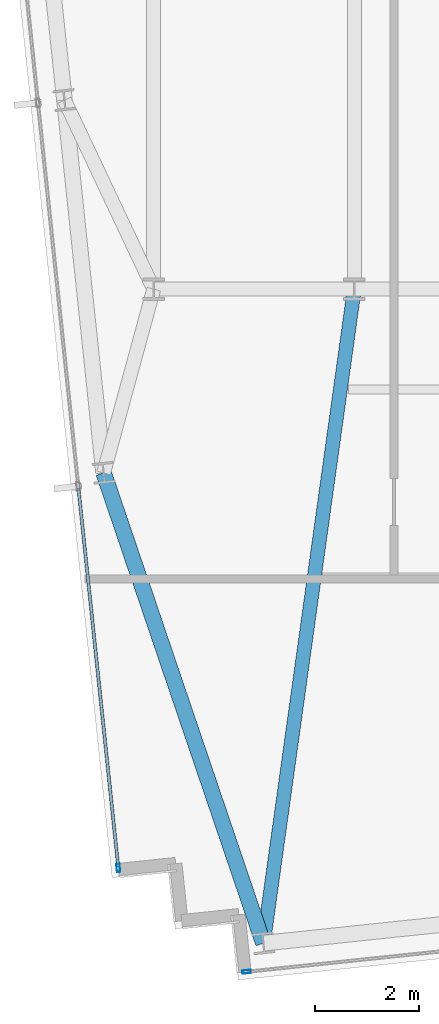
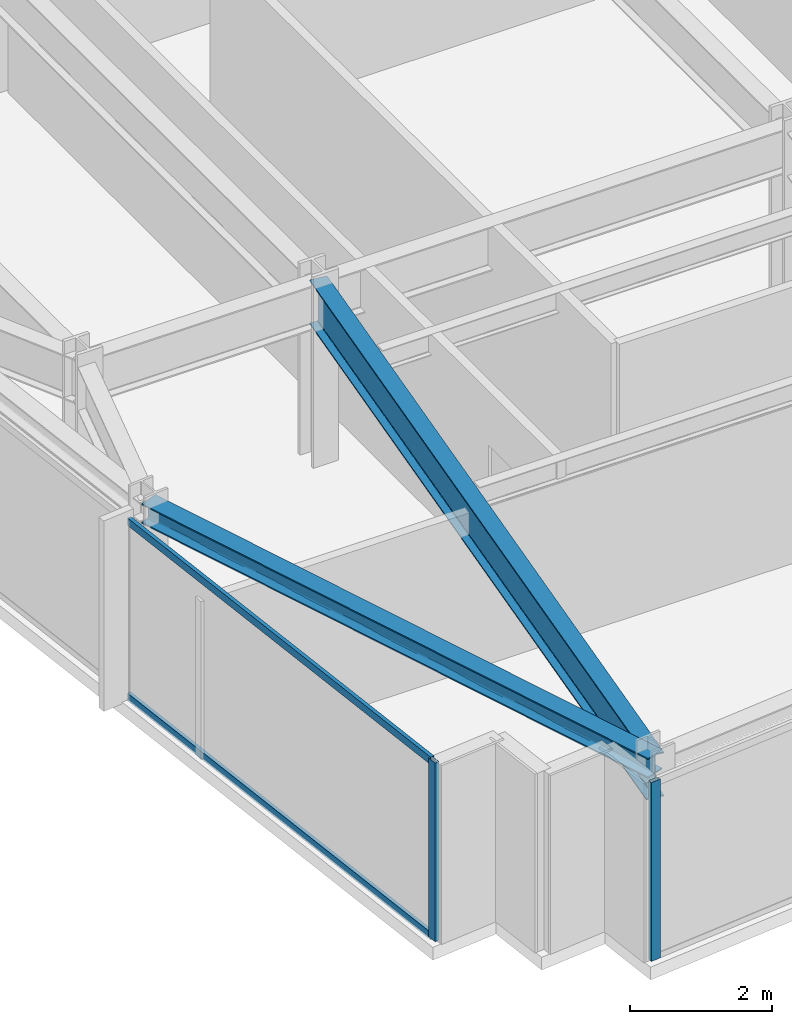
# One storey, part 2 of 32: 4 members, 2 beams, 2 elements without a shape of their own.
"""IFC4 building model written with IfcOpenShell, lengths in metres."""

import ifcopenshell
import ifcopenshell.guid

model = None  # the IFC model being written
_history = None  # IfcOwnerHistory: only IFC2X3 demands one
_inside = {}  # id of a spatial element -> (the spatial element, [elements in it])
_under = {}  # id of a project, library or spatial element -> (it, [spatial elements below it])
_declared = {}  # id of a project -> (the project, [libraries it declares])
_typed = {}  # id of a type object -> (the type object, [elements of that type])
_made_of = {}  # id of a material, layer set ... -> (it, [elements and type objects made of it])


def new_model(schema):
    """Start an empty IFC model of exactly this schema.

    Asked for "IFC4X3", IfcOpenShell would pick the latest addendum, in which some entities
    have other attributes; the version numbers below select the first issue.
    IFC2X3 requires an IfcOwnerHistory on every rooted entity: one is made here for all.
    """
    global model, _history
    if schema == "IFC4X3":
        model = ifcopenshell.file(schema_version=(4, 3, 0, 0))
    else:
        model = ifcopenshell.file(schema=schema)
    _inside.clear()
    _under.clear()
    _declared.clear()
    _typed.clear()
    _made_of.clear()
    _history = None
    if model.schema == "IFC2X3":
        org = make("IfcOrganization", Name="unknown")
        user = make(
            "IfcPersonAndOrganization",
            ThePerson=make("IfcPerson", FamilyName="unknown"),
            TheOrganization=org,
        )
        app = make(
            "IfcApplication",
            ApplicationDeveloper=org,
            Version="unknown",
            ApplicationFullName="unknown",
            ApplicationIdentifier="unknown",
        )
        _history = make(
            "IfcOwnerHistory",
            OwningUser=user,
            OwningApplication=app,
            ChangeAction="ADDED",
            CreationDate=0,
        )
    return model


def make(cls, **values):
    """One entity of the class cls with the attributes given. An attribute that is None is left unset."""
    return model.create_entity(
        cls, **{name: value for name, value in values.items() if value is not None}
    )


def rooted(cls, **values):
    """An entity with a GlobalId (a new one), such as an element, a storey or a relation."""
    return make(cls, GlobalId=ifcopenshell.guid.new(), OwnerHistory=_history, **values)


def si_unit(unit_type, name, prefix=None):
    """IfcSIUnit, for example si_unit("LENGTHUNIT", "METRE", prefix="MILLI")."""
    return make("IfcSIUnit", UnitType=unit_type, Prefix=prefix, Name=name)


def assignment(units):
    """IfcUnitAssignment: the units of a project."""
    return None if units is None else make("IfcUnitAssignment", Units=units)


def point(xyz):
    """IfcCartesianPoint."""
    return None if xyz is None else make("IfcCartesianPoint", Coordinates=xyz)


def direction(xyz):
    """IfcDirection."""
    return None if xyz is None else make("IfcDirection", DirectionRatios=xyz)


def frame(location, z_axis=None, x_axis=None):
    """IfcAxis2Placement3D, a coordinate frame: its origin and axes. An axis left out is left unset."""
    return make(
        "IfcAxis2Placement3D",
        Location=point(location),
        Axis=direction(z_axis),
        RefDirection=direction(x_axis),
    )


def frame_2d(location, x_axis=None):
    """IfcAxis2Placement2D, a coordinate frame in the plane: its origin and x axis."""
    return make(
        "IfcAxis2Placement2D", Location=point(location), RefDirection=direction(x_axis)
    )


def origin():
    """The frame at (0, 0, 0) with its axes left unset."""
    return frame((0.0, 0.0, 0.0))


def origin_2d():
    """The frame at (0, 0) in the plane with its x axis left unset."""
    return frame_2d((0.0, 0.0))


def place(relative_to, where):
    """IfcLocalPlacement: puts the frame where relative to a parent placement (None: the world)."""
    return make(
        "IfcLocalPlacement", PlacementRelTo=relative_to, RelativePlacement=where
    )


def context(
    kind, dimensions, precision=None, world=None, true_north=None, identifier=None
):
    """IfcGeometricRepresentationContext, for example the 3D "Model" context."""
    return make(
        "IfcGeometricRepresentationContext",
        ContextIdentifier=identifier,
        ContextType=kind,
        CoordinateSpaceDimension=dimensions,
        Precision=precision,
        WorldCoordinateSystem=world,
        TrueNorth=true_north,
    )


def subcontext(parent, identifier, kind, view, scale=None):
    """IfcGeometricRepresentationSubContext, for example "Body" below "Model"."""
    return make(
        "IfcGeometricRepresentationSubContext",
        ContextIdentifier=identifier,
        ContextType=kind,
        ParentContext=parent,
        TargetScale=scale,
        TargetView=view,
    )


def project(units=None, contexts=None):
    """IfcProject with its units and contexts."""
    return rooted(
        "IfcProject",
        Name="project",
        RepresentationContexts=contexts,
        UnitsInContext=assignment(units),
    )


def spatial(cls, under=None, at=None, **own):
    """A site, building, storey or space (cls), placed at a placement, below another one or the project."""
    s = rooted(cls, ObjectPlacement=at, **own)
    if under is not None:
        _under.setdefault(under.id(), (under, []))[1].append(s)
    return s


def profile(cls, at=None, kind="AREA", **sizes):
    """A parametric profile (cls). Its sizes go by their IFC names, for example OverallWidth=200.0."""
    return make(cls, ProfileType=kind, Position=at, **sizes)


def hollow_rectangle(**sizes):
    """IfcRectangleHollowProfileDef."""
    return profile("IfcRectangleHollowProfileDef", **sizes)


def i_section(**sizes):
    """IfcIShapeProfileDef."""
    return profile("IfcIShapeProfileDef", **sizes)


def extrude(swept, where, along, depth):
    """IfcExtrudedAreaSolid: the profile swept, set in the frame where, extruded along a direction by depth."""
    return make(
        "IfcExtrudedAreaSolid",
        SweptArea=swept,
        Position=where,
        ExtrudedDirection=direction(along),
        Depth=depth,
    )


def shape(context_of_items, identifier, shape_type, items):
    """IfcShapeRepresentation: the items that make up one representation, for example the "Body"."""
    return make(
        "IfcShapeRepresentation",
        ContextOfItems=context_of_items,
        RepresentationIdentifier=identifier,
        RepresentationType=shape_type,
        Items=items,
    )


def material(Name=None, Category=None):
    """IfcMaterial."""
    return make("IfcMaterial", Name=Name, Category=Category)


def material_profile(
    of_material, cross_section, Name=None, Category=None, Priority=None
):
    """IfcMaterialProfile: a cross section and its material."""
    return make(
        "IfcMaterialProfile",
        Name=Name,
        Material=of_material,
        Profile=cross_section,
        Priority=Priority,
        Category=Category,
    )


def profile_set(profiles, Name=None, composite=None):
    """IfcMaterialProfileSet."""
    return make(
        "IfcMaterialProfileSet",
        Name=Name,
        MaterialProfiles=profiles,
        CompositeProfile=composite,
    )


def made_of(thing, what):
    """Note that an element or type object is made of a material, layer set ...; save() writes the relation."""
    if what is not None:
        _made_of.setdefault(what.id(), (what, []))[1].append(thing)
    return thing


def type_object(cls, material=None, **own):
    """A type object (cls), such as IfcWallType, which elements share."""
    return made_of(rooted(cls, **own), material)


def element(
    cls,
    number,
    at=None,
    inside=None,
    cuts=None,
    type_object=None,
    material=None,
    context=None,
    identifier="Body",
    shape_type=None,
    held_by="IfcProductDefinitionShape",
    body=None,
    shapes=None,
    **own,
):
    """One element of the class cls, such as IfcWall. Its Tag is "e" and its number.

    at: its placement. inside: the storey or other place that contains it. cuts: it is an
    opening in that element (IfcRelVoidsElement). A single representation is given by context,
    identifier, shape_type and body (its items); several are given by shapes. held_by: the class
    of the entity that holds the representations. save() writes the other relations.
    """
    e = rooted(cls, Tag="e%d" % number, ObjectPlacement=at, **own)
    if body is not None:
        shapes = [shape(context, identifier, shape_type, body)]
    if shapes is not None:
        e.Representation = make(held_by, Representations=shapes)
    if inside is not None:
        _inside.setdefault(inside.id(), (inside, []))[1].append(e)
    if cuts is not None:
        rooted(
            "IfcRelVoidsElement", RelatingBuildingElement=cuts, RelatedOpeningElement=e
        )
    if type_object is not None:
        _typed.setdefault(type_object.id(), (type_object, []))[1].append(e)
    return made_of(e, material)


def aggregate(whole, parts):
    """IfcRelAggregates: a whole, such as a stair, and the parts it consists of."""
    return rooted("IfcRelAggregates", RelatingObject=whole, RelatedObjects=parts)


def save(model, path):
    """Write the relations noted so far, then the file.

    IfcRelAggregates (storeys below a building ...), IfcRelContainedInSpatialStructure (elements
    in a storey), IfcRelDefinesByType, IfcRelAssociatesMaterial and IfcRelDeclares: one each for
    every whole, place, type object, material and project.
    """
    for whole, parts in _under.values():
        aggregate(whole, parts)
    for where, things in _inside.values():
        rooted(
            "IfcRelContainedInSpatialStructure",
            RelatedElements=things,
            RelatingStructure=where,
        )
    for kind, things in _typed.values():
        rooted("IfcRelDefinesByType", RelatedObjects=things, RelatingType=kind)
    for what, things in _made_of.values():
        rooted("IfcRelAssociatesMaterial", RelatedObjects=things, RelatingMaterial=what)
    for by, libraries in _declared.values():
        rooted("IfcRelDeclares", RelatingContext=by, RelatedDefinitions=libraries)
    model.write(path)


model = new_model("IFC4")

# Units and contexts
model_context = context("Model", 3, precision=1e-05, world=origin(), true_north=direction((0.0, 1.0)))
body_context = subcontext(model_context, "Body", "Model", "MODEL_VIEW")
ifc_project = project(units=[si_unit("LENGTHUNIT", "METRE"), si_unit("AREAUNIT", "SQUARE_METRE"), si_unit("VOLUMEUNIT", "CUBIC_METRE"), si_unit("PLANEANGLEUNIT", "RADIAN"), si_unit("MASSUNIT", "GRAM", prefix="KILO")], contexts=[model_context])

# Site, building, storey
site_placement = place(None, origin())
site = spatial("IfcSite", under=ifc_project, at=site_placement, CompositionType="ELEMENT")
building_placement = place(site_placement, origin())
building = spatial("IfcBuilding", under=site, at=building_placement, Name="Yelkora Congress Tower", CompositionType="ELEMENT")
storey_placement = place(building_placement, frame((0.0, 0.0, 214.39990234375)))
storey = spatial("IfcBuildingStorey", under=building, at=storey_placement, Name="L59", CompositionType="ELEMENT", Elevation=214.39990234375)

# Beams
ifc_material_1 = material(Name="Steel S355J2", Category="steel")
ifc_material_profile_1 = material_profile(ifc_material_1, i_section(OverallWidth=0.26708984375, OverallDepth=0.761962890625, WebThickness=0.014404296875, FlangeThickness=0.021484375, FilletRadius=0.01708984375, at=origin_2d()), Name="IPE 750x173")
ifc_profile_set_1 = profile_set([ifc_material_profile_1], Name="Steel S355J2")
beam_type_1 = type_object("IfcBeamType", Name="BM-GIRD-IPE750", PredefinedType="BEAM", material=ifc_profile_set_1)
beam_1_placement = place(storey_placement, frame((21.299072265625, 12.678466796875, 2.69921875), z_axis=(0.137713626184, 0.990472088028, 0.0), x_axis=(-0.990472088028, 0.137713626184, 0.0)))
element("IfcBeam", 1, at=beam_1_placement, inside=storey, type_object=beam_type_1, Name="L59 Primary Frame Girder S01", PredefinedType="BEAM", context=body_context, shape_type="SweptSolid", body=[
    extrude(i_section(OverallWidth=0.26708984375, OverallDepth=0.761962890625, WebThickness=0.014404296875, FlangeThickness=0.021484375, FilletRadius=0.01708984375, at=origin_2d()), origin(), (0.0, 0.0, 1.0), 12.641845703125),
])
ifc_material_profile_2 = material_profile(ifc_material_1, i_section(OverallWidth=0.300048828125, OverallDepth=0.340087890625, WebThickness=0.011962890625, FlangeThickness=0.021484375, FilletRadius=0.027099609375, at=origin_2d()), Name="HEB 340")
ifc_profile_set_2 = profile_set([ifc_material_profile_2], Name="Steel S355J2")
beam_type_2 = type_object("IfcBeamType", Name="BM-SPAN-HEB340", PredefinedType="SPANDREL", material=ifc_profile_set_2)
beam_2_placement = place(storey_placement, frame((18.2412109375, 21.68310546875, 2.91015625), z_axis=(0.321552459514, -0.94689176561, 0.0), x_axis=(0.94689176561, 0.321552459514, 0.0)))
element("IfcBeam", 2, at=beam_2_placement, inside=storey, type_object=beam_type_2, Name="L59 Perimeter Beam 2", PredefinedType="SPANDREL", context=body_context, shape_type="SweptSolid", body=[
    extrude(i_section(OverallWidth=0.300048828125, OverallDepth=0.340087890625, WebThickness=0.011962890625, FlangeThickness=0.021484375, FilletRadius=0.027099609375, at=origin_2d()), origin(), (0.0, 0.0, 1.0), 9.509765625),
])

# Curtain wall, member
ifc_material_2 = material(Name="Anodised aluminium and insulated glass", Category="aluminium")
curtain_wall_type = type_object("IfcCurtainWallType", Name="CW-SYS-B4", PredefinedType="NOTDEFINED", material=ifc_material_2)
curtain_wall_1_placement = place(storey_placement, origin())
curtain_wall_1 = element("IfcCurtainWall", 3, at=curtain_wall_1_placement, inside=storey, type_object=curtain_wall_type, Name="L59 Unitised Curtain Wall 5", PredefinedType="NOTDEFINED")
ifc_material_3 = material(Name="Anodised aluminium 6063-T6", Category="aluminium")
ifc_material_profile_3 = material_profile(ifc_material_3, hollow_rectangle(XDim=0.06494140625, YDim=0.159912109375, WallThickness=0.00390625, at=origin_2d()), Name="ALU 65x160x4")
ifc_profile_set_3 = profile_set([ifc_material_profile_3], Name="Anodised aluminium 6063-T6")
member_type_1 = type_object("IfcMemberType", Name="MEM-ML-B4", PredefinedType="MULLION", material=ifc_profile_set_3)
member_1_placement = place(storey_placement, frame((18.523193359375, 14.118896484375, 0.0), z_axis=(0.0, 0.0, 1.0), x_axis=(-0.994522145958, -0.104526079034, 0.0)))
member_1 = element("IfcMember", 4, at=member_1_placement, type_object=member_type_1, Name="CW-B4 mullion 1", PredefinedType="MULLION", context=body_context, shape_type="SweptSolid", body=[
    extrude(hollow_rectangle(XDim=0.06494140625, YDim=0.159912109375, WallThickness=0.00390625, at=origin_2d()), origin(), (0.0, 0.0, 1.0), 3.080078125),
])

curtain_wall_2_placement = place(storey_placement, origin())
curtain_wall_2 = element("IfcCurtainWall", 5, at=curtain_wall_2_placement, inside=storey, type_object=curtain_wall_type, Name="L59 Unitised Curtain Wall 20", PredefinedType="NOTDEFINED")
member_2_placement = place(storey_placement, frame((20.976806640625, 12.1318359375, 0.0), z_axis=(0.0, 0.0, 1.0), x_axis=(0.104526664994, -0.994522084373, 0.0)))
member_2 = element("IfcMember", 6, at=member_2_placement, type_object=member_type_1, Name="CW-B4 mullion 8", PredefinedType="MULLION", context=body_context, shape_type="SweptSolid", body=[
    extrude(hollow_rectangle(XDim=0.06494140625, YDim=0.159912109375, WallThickness=0.00390625, at=origin_2d()), origin(), (0.0, 0.0, 1.0), 3.080078125),
])
aggregate(curtain_wall_2, [member_2])

# Member
ifc_material_profile_4 = material_profile(ifc_material_3, hollow_rectangle(XDim=0.06005859375, YDim=0.1298828125, WallThickness=0.00390625, at=origin_2d()), Name="ALU 60x130x4")
ifc_profile_set_4 = profile_set([ifc_material_profile_4], Name="Anodised aluminium 6063-T6")
member_type_2 = type_object("IfcMemberType", Name="MEM-TR-B4", PredefinedType="USERDEFINED", material=ifc_profile_set_4)
member_3_placement = place(storey_placement, frame((18.52001953125, 14.151123046875, 0.030029296875), z_axis=(-0.104527725728, 0.994521972886, 0.0), x_axis=(-0.994521972886, -0.104527725728, 0.0)))
member_3 = element("IfcMember", 7, at=member_3_placement, type_object=member_type_2, Name="CW-B4 transom 1.1", ObjectType="TRANSOM", PredefinedType="USERDEFINED", context=body_context, shape_type="SweptSolid", body=[
    extrude(hollow_rectangle(XDim=0.06005859375, YDim=0.1298828125, WallThickness=0.00390625, at=origin_2d()), origin(), (0.0, 0.0, 1.0), 7.282470703125),
])

member_4_placement = place(storey_placement, frame((18.52001953125, 14.151123046875, 3.050048828125), z_axis=(-0.104527725728, 0.994521972886, 0.0), x_axis=(-0.994521972886, -0.104527725728, 0.0)))
member_4 = element("IfcMember", 8, at=member_4_placement, type_object=member_type_2, Name="CW-B4 transom 1.2", ObjectType="TRANSOM", PredefinedType="USERDEFINED", context=body_context, shape_type="SweptSolid", body=[
    extrude(hollow_rectangle(XDim=0.06005859375, YDim=0.1298828125, WallThickness=0.00390625, at=origin_2d()), origin(), (0.0, 0.0, 1.0), 7.282470703125),
])

aggregate(curtain_wall_1, [member_1, member_3, member_4])

save(model, "model.ifc")
